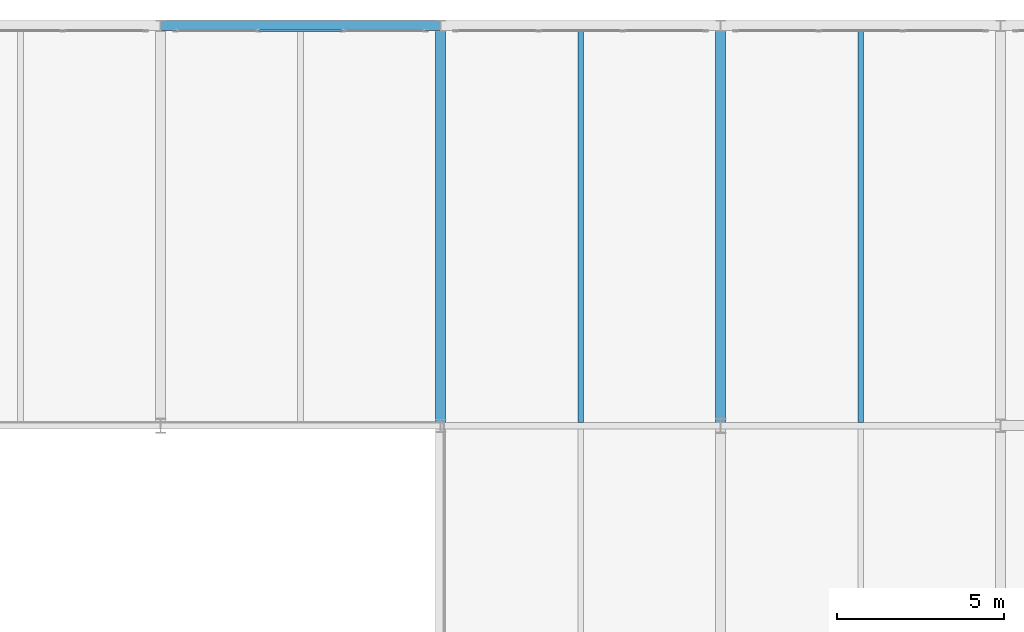
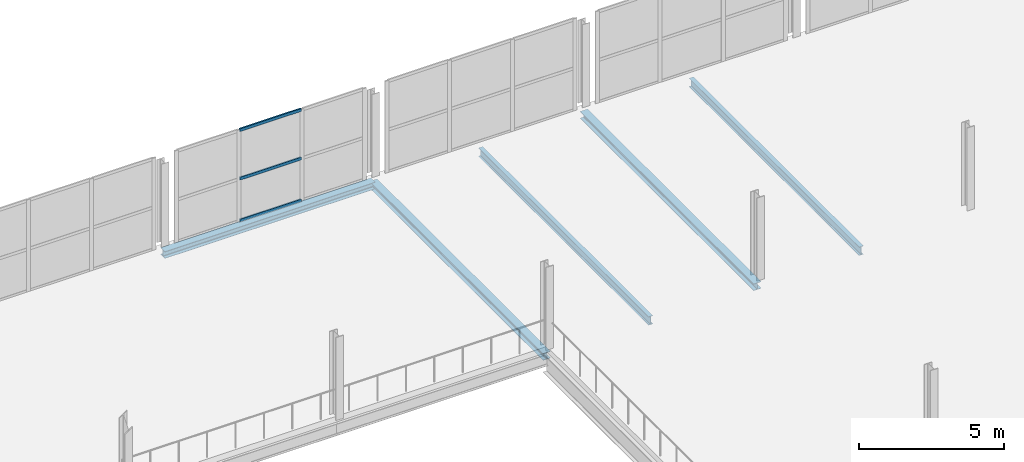
# One storey, part 64 of 103: 5 beams, 3 members, 1 element without a shape of its own.
"""IFC4 building model written with IfcOpenShell, lengths in metres."""

import ifcopenshell
import ifcopenshell.guid

model = None  # the IFC model being written
_history = None  # IfcOwnerHistory: only IFC2X3 demands one
_inside = {}  # id of a spatial element -> (the spatial element, [elements in it])
_under = {}  # id of a project, library or spatial element -> (it, [spatial elements below it])
_declared = {}  # id of a project -> (the project, [libraries it declares])
_typed = {}  # id of a type object -> (the type object, [elements of that type])
_made_of = {}  # id of a material, layer set ... -> (it, [elements and type objects made of it])


def new_model(schema):
    """Start an empty IFC model of exactly this schema.

    Asked for "IFC4X3", IfcOpenShell would pick the latest addendum, in which some entities
    have other attributes; the version numbers below select the first issue.
    IFC2X3 requires an IfcOwnerHistory on every rooted entity: one is made here for all.
    """
    global model, _history
    if schema == "IFC4X3":
        model = ifcopenshell.file(schema_version=(4, 3, 0, 0))
    else:
        model = ifcopenshell.file(schema=schema)
    _inside.clear()
    _under.clear()
    _declared.clear()
    _typed.clear()
    _made_of.clear()
    _history = None
    if model.schema == "IFC2X3":
        org = make("IfcOrganization", Name="unknown")
        user = make(
            "IfcPersonAndOrganization",
            ThePerson=make("IfcPerson", FamilyName="unknown"),
            TheOrganization=org,
        )
        app = make(
            "IfcApplication",
            ApplicationDeveloper=org,
            Version="unknown",
            ApplicationFullName="unknown",
            ApplicationIdentifier="unknown",
        )
        _history = make(
            "IfcOwnerHistory",
            OwningUser=user,
            OwningApplication=app,
            ChangeAction="ADDED",
            CreationDate=0,
        )
    return model


def make(cls, **values):
    """One entity of the class cls with the attributes given. An attribute that is None is left unset."""
    return model.create_entity(
        cls, **{name: value for name, value in values.items() if value is not None}
    )


def rooted(cls, **values):
    """An entity with a GlobalId (a new one), such as an element, a storey or a relation."""
    return make(cls, GlobalId=ifcopenshell.guid.new(), OwnerHistory=_history, **values)


def si_unit(unit_type, name, prefix=None):
    """IfcSIUnit, for example si_unit("LENGTHUNIT", "METRE", prefix="MILLI")."""
    return make("IfcSIUnit", UnitType=unit_type, Prefix=prefix, Name=name)


def assignment(units):
    """IfcUnitAssignment: the units of a project."""
    return None if units is None else make("IfcUnitAssignment", Units=units)


def point(xyz):
    """IfcCartesianPoint."""
    return None if xyz is None else make("IfcCartesianPoint", Coordinates=xyz)


def direction(xyz):
    """IfcDirection."""
    return None if xyz is None else make("IfcDirection", DirectionRatios=xyz)


def frame(location, z_axis=None, x_axis=None):
    """IfcAxis2Placement3D, a coordinate frame: its origin and axes. An axis left out is left unset."""
    return make(
        "IfcAxis2Placement3D",
        Location=point(location),
        Axis=direction(z_axis),
        RefDirection=direction(x_axis),
    )


def frame_2d(location, x_axis=None):
    """IfcAxis2Placement2D, a coordinate frame in the plane: its origin and x axis."""
    return make(
        "IfcAxis2Placement2D", Location=point(location), RefDirection=direction(x_axis)
    )


def origin():
    """The frame at (0, 0, 0) with its axes left unset."""
    return frame((0.0, 0.0, 0.0))


def origin_2d():
    """The frame at (0, 0) in the plane with its x axis left unset."""
    return frame_2d((0.0, 0.0))


def place(relative_to, where):
    """IfcLocalPlacement: puts the frame where relative to a parent placement (None: the world)."""
    return make(
        "IfcLocalPlacement", PlacementRelTo=relative_to, RelativePlacement=where
    )


def context(
    kind, dimensions, precision=None, world=None, true_north=None, identifier=None
):
    """IfcGeometricRepresentationContext, for example the 3D "Model" context."""
    return make(
        "IfcGeometricRepresentationContext",
        ContextIdentifier=identifier,
        ContextType=kind,
        CoordinateSpaceDimension=dimensions,
        Precision=precision,
        WorldCoordinateSystem=world,
        TrueNorth=true_north,
    )


def subcontext(parent, identifier, kind, view, scale=None):
    """IfcGeometricRepresentationSubContext, for example "Body" below "Model"."""
    return make(
        "IfcGeometricRepresentationSubContext",
        ContextIdentifier=identifier,
        ContextType=kind,
        ParentContext=parent,
        TargetScale=scale,
        TargetView=view,
    )


def project(units=None, contexts=None):
    """IfcProject with its units and contexts."""
    return rooted(
        "IfcProject",
        Name="project",
        RepresentationContexts=contexts,
        UnitsInContext=assignment(units),
    )


def spatial(cls, under=None, at=None, **own):
    """A site, building, storey or space (cls), placed at a placement, below another one or the project."""
    s = rooted(cls, ObjectPlacement=at, **own)
    if under is not None:
        _under.setdefault(under.id(), (under, []))[1].append(s)
    return s


def profile(cls, at=None, kind="AREA", **sizes):
    """A parametric profile (cls). Its sizes go by their IFC names, for example OverallWidth=200.0."""
    return make(cls, ProfileType=kind, Position=at, **sizes)


def hollow_rectangle(**sizes):
    """IfcRectangleHollowProfileDef."""
    return profile("IfcRectangleHollowProfileDef", **sizes)


def i_section(**sizes):
    """IfcIShapeProfileDef."""
    return profile("IfcIShapeProfileDef", **sizes)


def extrude(swept, where, along, depth):
    """IfcExtrudedAreaSolid: the profile swept, set in the frame where, extruded along a direction by depth."""
    return make(
        "IfcExtrudedAreaSolid",
        SweptArea=swept,
        Position=where,
        ExtrudedDirection=direction(along),
        Depth=depth,
    )


def shape(context_of_items, identifier, shape_type, items):
    """IfcShapeRepresentation: the items that make up one representation, for example the "Body"."""
    return make(
        "IfcShapeRepresentation",
        ContextOfItems=context_of_items,
        RepresentationIdentifier=identifier,
        RepresentationType=shape_type,
        Items=items,
    )


def material(Name=None, Category=None):
    """IfcMaterial."""
    return make("IfcMaterial", Name=Name, Category=Category)


def material_profile(
    of_material, cross_section, Name=None, Category=None, Priority=None
):
    """IfcMaterialProfile: a cross section and its material."""
    return make(
        "IfcMaterialProfile",
        Name=Name,
        Material=of_material,
        Profile=cross_section,
        Priority=Priority,
        Category=Category,
    )


def profile_set(profiles, Name=None, composite=None):
    """IfcMaterialProfileSet."""
    return make(
        "IfcMaterialProfileSet",
        Name=Name,
        MaterialProfiles=profiles,
        CompositeProfile=composite,
    )


def made_of(thing, what):
    """Note that an element or type object is made of a material, layer set ...; save() writes the relation."""
    if what is not None:
        _made_of.setdefault(what.id(), (what, []))[1].append(thing)
    return thing


def type_object(cls, material=None, **own):
    """A type object (cls), such as IfcWallType, which elements share."""
    return made_of(rooted(cls, **own), material)


def element(
    cls,
    number,
    at=None,
    inside=None,
    cuts=None,
    type_object=None,
    material=None,
    context=None,
    identifier="Body",
    shape_type=None,
    held_by="IfcProductDefinitionShape",
    body=None,
    shapes=None,
    **own,
):
    """One element of the class cls, such as IfcWall. Its Tag is "e" and its number.

    at: its placement. inside: the storey or other place that contains it. cuts: it is an
    opening in that element (IfcRelVoidsElement). A single representation is given by context,
    identifier, shape_type and body (its items); several are given by shapes. held_by: the class
    of the entity that holds the representations. save() writes the other relations.
    """
    e = rooted(cls, Tag="e%d" % number, ObjectPlacement=at, **own)
    if body is not None:
        shapes = [shape(context, identifier, shape_type, body)]
    if shapes is not None:
        e.Representation = make(held_by, Representations=shapes)
    if inside is not None:
        _inside.setdefault(inside.id(), (inside, []))[1].append(e)
    if cuts is not None:
        rooted(
            "IfcRelVoidsElement", RelatingBuildingElement=cuts, RelatedOpeningElement=e
        )
    if type_object is not None:
        _typed.setdefault(type_object.id(), (type_object, []))[1].append(e)
    return made_of(e, material)


def aggregate(whole, parts):
    """IfcRelAggregates: a whole, such as a stair, and the parts it consists of."""
    return rooted("IfcRelAggregates", RelatingObject=whole, RelatedObjects=parts)


def save(model, path):
    """Write the relations noted so far, then the file.

    IfcRelAggregates (storeys below a building ...), IfcRelContainedInSpatialStructure (elements
    in a storey), IfcRelDefinesByType, IfcRelAssociatesMaterial and IfcRelDeclares: one each for
    every whole, place, type object, material and project.
    """
    for whole, parts in _under.values():
        aggregate(whole, parts)
    for where, things in _inside.values():
        rooted(
            "IfcRelContainedInSpatialStructure",
            RelatedElements=things,
            RelatingStructure=where,
        )
    for kind, things in _typed.values():
        rooted("IfcRelDefinesByType", RelatedObjects=things, RelatingType=kind)
    for what, things in _made_of.values():
        rooted("IfcRelAssociatesMaterial", RelatedObjects=things, RelatingMaterial=what)
    for by, libraries in _declared.values():
        rooted("IfcRelDeclares", RelatingContext=by, RelatedDefinitions=libraries)
    model.write(path)


model = new_model("IFC4")

# Units and contexts
model_context = context("Model", 3, precision=1e-05, world=origin(), true_north=direction((0.0, 1.0)))
body_context = subcontext(model_context, "Body", "Model", "MODEL_VIEW")
ifc_project = project(units=[si_unit("LENGTHUNIT", "METRE"), si_unit("AREAUNIT", "SQUARE_METRE"), si_unit("VOLUMEUNIT", "CUBIC_METRE"), si_unit("PLANEANGLEUNIT", "RADIAN"), si_unit("MASSUNIT", "GRAM", prefix="KILO")], contexts=[model_context])

# Site, building, storey
site_placement = place(None, origin())
site = spatial("IfcSite", under=ifc_project, at=site_placement, CompositionType="ELEMENT")
building_placement = place(site_placement, origin())
building = spatial("IfcBuilding", under=site, at=building_placement, Name="Veltarok Museum of Natural Sciences", CompositionType="ELEMENT")
storey_placement = place(building_placement, frame((0.0, 0.0, 21.89990234375)))
storey = spatial("IfcBuildingStorey", under=building, at=storey_placement, Name="L04", CompositionType="ELEMENT", Elevation=21.89990234375)

# Curtain wall, members
ifc_material_1 = material(Name="Low-iron triple insulated glass", Category="glass")
curtain_wall_type = type_object("IfcCurtainWallType", Name="Curtain Wall System CW-V2N-L04-8-756x388 (V2 North Hall L04 8-9 756x388cm)", PredefinedType="NOTDEFINED", material=ifc_material_1)
curtain_wall_placement = place(storey_placement, origin())
curtain_wall = element("IfcCurtainWall", 1, at=curtain_wall_placement, inside=storey, type_object=curtain_wall_type, Name="Curtain Wall CW-V2N-L04-8-756x388 CW-0063", PredefinedType="NOTDEFINED")
ifc_material_2 = material(Name="Thermally broken anodised aluminium", Category="aluminium")
ifc_material_profile_1 = material_profile(ifc_material_2, hollow_rectangle(XDim=0.06005859375, YDim=0.1201171875, WallThickness=0.0048828125, at=origin_2d()), Name="CW TRANSOM 60x120x5")
ifc_profile_set_1 = profile_set([ifc_material_profile_1], Name="Thermally broken anodised aluminium")
member_type = type_object("IfcMemberType", Name="Curtain Wall Horizontal Transom 60x120x5", PredefinedType="USERDEFINED", material=ifc_profile_set_1)
member_1_placement = place(storey_placement, frame((70.6298828125, 71.85009765625, 0.030029296875), z_axis=(-1.0, 0.0, 0.0), x_axis=(0.0, -1.0, 0.0)))
member_1 = element("IfcMember", 2, at=member_1_placement, type_object=member_type, Name="CW-V2N-L04-8-756x388 transom 2.1", ObjectType="TRANSOM", PredefinedType="USERDEFINED", context=body_context, shape_type="SweptSolid", body=[
    extrude(hollow_rectangle(XDim=0.06005859375, YDim=0.1201171875, WallThickness=0.0048828125, at=origin_2d()), origin(), (0.0, 0.0, 1.0), 2.4599609375),
])
member_2_placement = place(storey_placement, frame((70.6298828125, 71.85009765625, 1.800048828125), z_axis=(-1.0, 0.0, 0.0), x_axis=(0.0, -1.0, 0.0)))
member_2 = element("IfcMember", 3, at=member_2_placement, type_object=member_type, Name="CW-V2N-L04-8-756x388 transom 2.2", ObjectType="TRANSOM", PredefinedType="USERDEFINED", context=body_context, shape_type="SweptSolid", body=[
    extrude(hollow_rectangle(XDim=0.06005859375, YDim=0.1201171875, WallThickness=0.0048828125, at=origin_2d()), origin(), (0.0, 0.0, 1.0), 2.4599609375),
])
member_3_placement = place(storey_placement, frame((70.6298828125, 71.85009765625, 3.85009765625), z_axis=(-1.0, 0.0, 0.0), x_axis=(0.0, -1.0, 0.0)))
member_3 = element("IfcMember", 4, at=member_3_placement, type_object=member_type, Name="CW-V2N-L04-8-756x388 transom 2.3", ObjectType="TRANSOM", PredefinedType="USERDEFINED", context=body_context, shape_type="SweptSolid", body=[
    extrude(hollow_rectangle(XDim=0.06005859375, YDim=0.1201171875, WallThickness=0.0048828125, at=origin_2d()), origin(), (0.0, 0.0, 1.0), 2.4599609375),
])
aggregate(curtain_wall, [member_1, member_2, member_3])

# Beams
ifc_material_3 = material(Name="Steel S355J2", Category="steel")
ifc_material_profile_2 = material_profile(ifc_material_3, i_section(OverallWidth=0.300048828125, OverallDepth=0.2900390625, WebThickness=0.008544921875, FlangeThickness=0.013916015625, FilletRadius=0.027099609375, at=origin_2d()), Name="HEA 300")
ifc_profile_set_2 = profile_set([ifc_material_profile_2], Name="Steel S355J2")
beam_type_1 = type_object("IfcBeamType", Name="Glazed Hall Edge Spandrel HEA 300", PredefinedType="SPANDREL", material=ifc_profile_set_2)
beam_placement = place(storey_placement, frame((65.199951171875, 72.0, -0.39501953125), z_axis=(1.0, 0.0, 0.0), x_axis=(0.0, 1.0, 0.0)))
element("IfcBeam", 5, at=beam_placement, inside=storey, type_object=beam_type_1, Name="Beam BM-SP03 L04 8-9/H", PredefinedType="SPANDREL", context=body_context, shape_type="SweptSolid", body=[
    extrude(i_section(OverallWidth=0.300048828125, OverallDepth=0.2900390625, WebThickness=0.008544921875, FlangeThickness=0.013916015625, FilletRadius=0.027099609375, at=origin_2d()), origin(), (0.0, 0.0, 1.0), 8.400146484375),
])
for number, where, z_axis, x_axis, name in (
    (6, (73.60009765625, 60.0, -0.39501953125), (0.0, 1.0, 0.0), (-1.0, 0.0, 0.0), "Beam BM-SP03 L04 9/G-H"),
    (7, (82.0, 60.0, -0.39501953125), (0.0, 1.0, 0.0), (-1.0, 0.0, 0.0), "Beam BM-SP03 L04 10/G-H"),
):
    element("IfcBeam", number, at=place(storey_placement, frame(where, z_axis=z_axis, x_axis=x_axis)), inside=storey, type_object=beam_type_1, Name=name, PredefinedType="SPANDREL", context=body_context, shape_type="SweptSolid", body=[
        extrude(i_section(OverallWidth=0.300048828125, OverallDepth=0.2900390625, WebThickness=0.008544921875, FlangeThickness=0.013916015625, FilletRadius=0.027099609375, at=origin_2d()), origin(), (0.0, 0.0, 1.0), 12.0),
    ])
ifc_material_profile_3 = material_profile(ifc_material_3, i_section(OverallWidth=0.169921875, OverallDepth=0.360107421875, WebThickness=0.008056640625, FlangeThickness=0.0126953125, FilletRadius=0.01806640625, at=origin_2d()), Name="IPE 360")
ifc_profile_set_3 = profile_set([ifc_material_profile_3], Name="Steel S355J2")
beam_type_2 = type_object("IfcBeamType", Name="Long-Bay Composite Joist IPE 360", PredefinedType="JOIST", material=ifc_profile_set_3)
for number, where, z_axis, x_axis, name in (
    (8, (77.800048828125, 60.097900390625, -0.429931640625), (0.0, 1.0, 0.0), (-1.0, 0.0, 0.0), "Secondary Joist BM-J01 L04 9-10/G-H.1"),
    (9, (86.199951171875, 60.097900390625, -0.429931640625), (0.0, 1.0, 0.0), (-1.0, 0.0, 0.0), "Secondary Joist BM-J01 L04 10-11/G-H.1"),
):
    element("IfcBeam", number, at=place(storey_placement, frame(where, z_axis=z_axis, x_axis=x_axis)), inside=storey, type_object=beam_type_2, Name=name, PredefinedType="JOIST", context=body_context, shape_type="SweptSolid", body=[
        extrude(i_section(OverallWidth=0.169921875, OverallDepth=0.360107421875, WebThickness=0.008056640625, FlangeThickness=0.0126953125, FilletRadius=0.01806640625, at=origin_2d()), origin(), (0.0, 0.0, 1.0), 11.754150390625),
    ])

save(model, "model.ifc")
